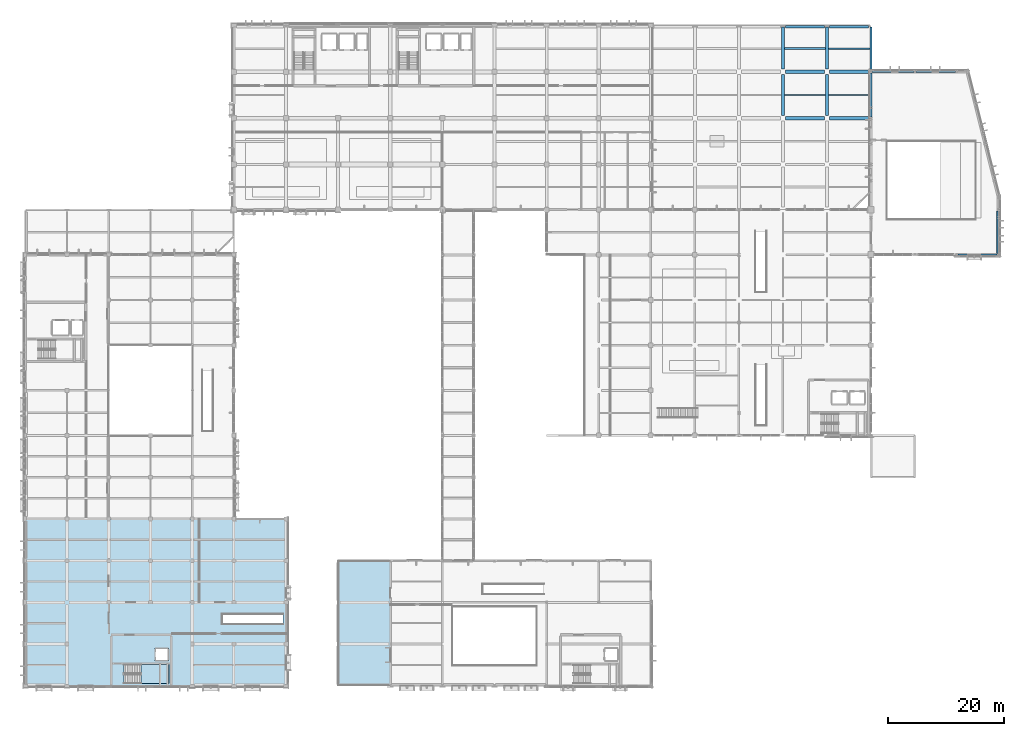
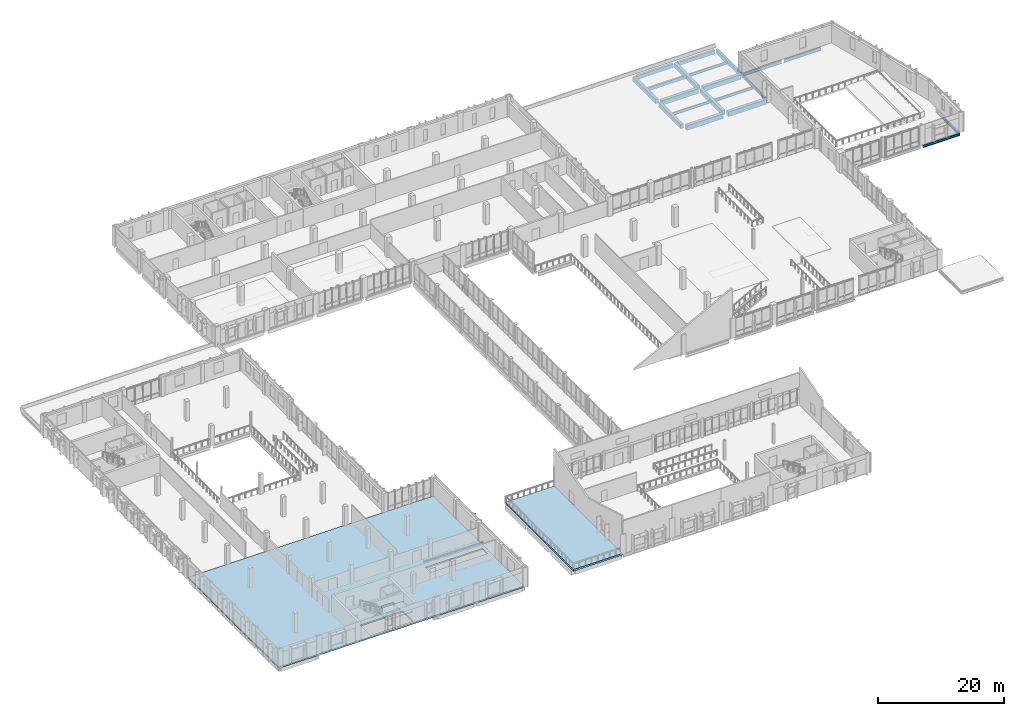
# One storey, part 42 of 85: 20 beams, 3 slabs, 1 element without a shape of its own.
"""IFC4 building model written with IfcOpenShell, lengths in metres."""

import ifcopenshell
import ifcopenshell.guid

model = None  # the IFC model being written
_history = None  # IfcOwnerHistory: only IFC2X3 demands one
_inside = {}  # id of a spatial element -> (the spatial element, [elements in it])
_under = {}  # id of a project, library or spatial element -> (it, [spatial elements below it])
_declared = {}  # id of a project -> (the project, [libraries it declares])
_typed = {}  # id of a type object -> (the type object, [elements of that type])
_made_of = {}  # id of a material, layer set ... -> (it, [elements and type objects made of it])


def new_model(schema):
    """Start an empty IFC model of exactly this schema.

    Asked for "IFC4X3", IfcOpenShell would pick the latest addendum, in which some entities
    have other attributes; the version numbers below select the first issue.
    IFC2X3 requires an IfcOwnerHistory on every rooted entity: one is made here for all.
    """
    global model, _history
    if schema == "IFC4X3":
        model = ifcopenshell.file(schema_version=(4, 3, 0, 0))
    else:
        model = ifcopenshell.file(schema=schema)
    _inside.clear()
    _under.clear()
    _declared.clear()
    _typed.clear()
    _made_of.clear()
    _history = None
    if model.schema == "IFC2X3":
        org = make("IfcOrganization", Name="unknown")
        user = make(
            "IfcPersonAndOrganization",
            ThePerson=make("IfcPerson", FamilyName="unknown"),
            TheOrganization=org,
        )
        app = make(
            "IfcApplication",
            ApplicationDeveloper=org,
            Version="unknown",
            ApplicationFullName="unknown",
            ApplicationIdentifier="unknown",
        )
        _history = make(
            "IfcOwnerHistory",
            OwningUser=user,
            OwningApplication=app,
            ChangeAction="ADDED",
            CreationDate=0,
        )
    return model


def make(cls, **values):
    """One entity of the class cls with the attributes given. An attribute that is None is left unset."""
    return model.create_entity(
        cls, **{name: value for name, value in values.items() if value is not None}
    )


def rooted(cls, **values):
    """An entity with a GlobalId (a new one), such as an element, a storey or a relation."""
    return make(cls, GlobalId=ifcopenshell.guid.new(), OwnerHistory=_history, **values)


def si_unit(unit_type, name, prefix=None):
    """IfcSIUnit, for example si_unit("LENGTHUNIT", "METRE", prefix="MILLI")."""
    return make("IfcSIUnit", UnitType=unit_type, Prefix=prefix, Name=name)


def assignment(units):
    """IfcUnitAssignment: the units of a project."""
    return None if units is None else make("IfcUnitAssignment", Units=units)


def point(xyz):
    """IfcCartesianPoint."""
    return None if xyz is None else make("IfcCartesianPoint", Coordinates=xyz)


def direction(xyz):
    """IfcDirection."""
    return None if xyz is None else make("IfcDirection", DirectionRatios=xyz)


def frame(location, z_axis=None, x_axis=None):
    """IfcAxis2Placement3D, a coordinate frame: its origin and axes. An axis left out is left unset."""
    return make(
        "IfcAxis2Placement3D",
        Location=point(location),
        Axis=direction(z_axis),
        RefDirection=direction(x_axis),
    )


def frame_2d(location, x_axis=None):
    """IfcAxis2Placement2D, a coordinate frame in the plane: its origin and x axis."""
    return make(
        "IfcAxis2Placement2D", Location=point(location), RefDirection=direction(x_axis)
    )


def origin():
    """The frame at (0, 0, 0) with its axes left unset."""
    return frame((0.0, 0.0, 0.0))


def origin_2d():
    """The frame at (0, 0) in the plane with its x axis left unset."""
    return frame_2d((0.0, 0.0))


def place(relative_to, where):
    """IfcLocalPlacement: puts the frame where relative to a parent placement (None: the world)."""
    return make(
        "IfcLocalPlacement", PlacementRelTo=relative_to, RelativePlacement=where
    )


def context(
    kind, dimensions, precision=None, world=None, true_north=None, identifier=None
):
    """IfcGeometricRepresentationContext, for example the 3D "Model" context."""
    return make(
        "IfcGeometricRepresentationContext",
        ContextIdentifier=identifier,
        ContextType=kind,
        CoordinateSpaceDimension=dimensions,
        Precision=precision,
        WorldCoordinateSystem=world,
        TrueNorth=true_north,
    )


def subcontext(parent, identifier, kind, view, scale=None):
    """IfcGeometricRepresentationSubContext, for example "Body" below "Model"."""
    return make(
        "IfcGeometricRepresentationSubContext",
        ContextIdentifier=identifier,
        ContextType=kind,
        ParentContext=parent,
        TargetScale=scale,
        TargetView=view,
    )


def project(units=None, contexts=None):
    """IfcProject with its units and contexts."""
    return rooted(
        "IfcProject",
        Name="project",
        RepresentationContexts=contexts,
        UnitsInContext=assignment(units),
    )


def spatial(cls, under=None, at=None, **own):
    """A site, building, storey or space (cls), placed at a placement, below another one or the project."""
    s = rooted(cls, ObjectPlacement=at, **own)
    if under is not None:
        _under.setdefault(under.id(), (under, []))[1].append(s)
    return s


def polyline(points):
    """IfcPolyline through the points."""
    return make("IfcPolyline", Points=[point(p) for p in points])


def profile(cls, at=None, kind="AREA", **sizes):
    """A parametric profile (cls). Its sizes go by their IFC names, for example OverallWidth=200.0."""
    return make(cls, ProfileType=kind, Position=at, **sizes)


def rectangle(**sizes):
    """IfcRectangleProfileDef."""
    return profile("IfcRectangleProfileDef", **sizes)


def i_section(**sizes):
    """IfcIShapeProfileDef."""
    return profile("IfcIShapeProfileDef", **sizes)


def outline(outer, holes=None, kind="AREA"):
    """IfcArbitraryClosedProfileDef: a profile drawn as a closed curve; with holes, ...WithVoids."""
    if holes is None:
        return make("IfcArbitraryClosedProfileDef", ProfileType=kind, OuterCurve=outer)
    return make(
        "IfcArbitraryProfileDefWithVoids",
        ProfileType=kind,
        OuterCurve=outer,
        InnerCurves=holes,
    )


def extrude(swept, where, along, depth):
    """IfcExtrudedAreaSolid: the profile swept, set in the frame where, extruded along a direction by depth."""
    return make(
        "IfcExtrudedAreaSolid",
        SweptArea=swept,
        Position=where,
        ExtrudedDirection=direction(along),
        Depth=depth,
    )


def shape(context_of_items, identifier, shape_type, items):
    """IfcShapeRepresentation: the items that make up one representation, for example the "Body"."""
    return make(
        "IfcShapeRepresentation",
        ContextOfItems=context_of_items,
        RepresentationIdentifier=identifier,
        RepresentationType=shape_type,
        Items=items,
    )


def material(Name=None, Category=None):
    """IfcMaterial."""
    return make("IfcMaterial", Name=Name, Category=Category)


def layer(
    of_material, thickness, ventilated=None, Name=None, Category=None, Priority=None
):
    """IfcMaterialLayer: one layer of a wall or slab, of a material (None: an air gap)."""
    return make(
        "IfcMaterialLayer",
        Material=of_material,
        LayerThickness=thickness,
        IsVentilated=ventilated,
        Name=Name,
        Category=Category,
        Priority=Priority,
    )


def layer_set(layers, Name=None):
    """IfcMaterialLayerSet."""
    return make("IfcMaterialLayerSet", MaterialLayers=layers, LayerSetName=Name)


def material_profile(
    of_material, cross_section, Name=None, Category=None, Priority=None
):
    """IfcMaterialProfile: a cross section and its material."""
    return make(
        "IfcMaterialProfile",
        Name=Name,
        Material=of_material,
        Profile=cross_section,
        Priority=Priority,
        Category=Category,
    )


def profile_set(profiles, Name=None, composite=None):
    """IfcMaterialProfileSet."""
    return make(
        "IfcMaterialProfileSet",
        Name=Name,
        MaterialProfiles=profiles,
        CompositeProfile=composite,
    )


def made_of(thing, what):
    """Note that an element or type object is made of a material, layer set ...; save() writes the relation."""
    if what is not None:
        _made_of.setdefault(what.id(), (what, []))[1].append(thing)
    return thing


def type_object(cls, material=None, **own):
    """A type object (cls), such as IfcWallType, which elements share."""
    return made_of(rooted(cls, **own), material)


def element(
    cls,
    number,
    at=None,
    inside=None,
    cuts=None,
    type_object=None,
    material=None,
    context=None,
    identifier="Body",
    shape_type=None,
    held_by="IfcProductDefinitionShape",
    body=None,
    shapes=None,
    **own,
):
    """One element of the class cls, such as IfcWall. Its Tag is "e" and its number.

    at: its placement. inside: the storey or other place that contains it. cuts: it is an
    opening in that element (IfcRelVoidsElement). A single representation is given by context,
    identifier, shape_type and body (its items); several are given by shapes. held_by: the class
    of the entity that holds the representations. save() writes the other relations.
    """
    e = rooted(cls, Tag="e%d" % number, ObjectPlacement=at, **own)
    if body is not None:
        shapes = [shape(context, identifier, shape_type, body)]
    if shapes is not None:
        e.Representation = make(held_by, Representations=shapes)
    if inside is not None:
        _inside.setdefault(inside.id(), (inside, []))[1].append(e)
    if cuts is not None:
        rooted(
            "IfcRelVoidsElement", RelatingBuildingElement=cuts, RelatedOpeningElement=e
        )
    if type_object is not None:
        _typed.setdefault(type_object.id(), (type_object, []))[1].append(e)
    return made_of(e, material)


def aggregate(whole, parts):
    """IfcRelAggregates: a whole, such as a stair, and the parts it consists of."""
    return rooted("IfcRelAggregates", RelatingObject=whole, RelatedObjects=parts)


def save(model, path):
    """Write the relations noted so far, then the file.

    IfcRelAggregates (storeys below a building ...), IfcRelContainedInSpatialStructure (elements
    in a storey), IfcRelDefinesByType, IfcRelAssociatesMaterial and IfcRelDeclares: one each for
    every whole, place, type object, material and project.
    """
    for whole, parts in _under.values():
        aggregate(whole, parts)
    for where, things in _inside.values():
        rooted(
            "IfcRelContainedInSpatialStructure",
            RelatedElements=things,
            RelatingStructure=where,
        )
    for kind, things in _typed.values():
        rooted("IfcRelDefinesByType", RelatedObjects=things, RelatingType=kind)
    for what, things in _made_of.values():
        rooted("IfcRelAssociatesMaterial", RelatedObjects=things, RelatingMaterial=what)
    for by, libraries in _declared.values():
        rooted("IfcRelDeclares", RelatingContext=by, RelatedDefinitions=libraries)
    model.write(path)


model = new_model("IFC4")

# Units and contexts
model_context = context("Model", 3, precision=1e-05, world=origin(), true_north=direction((0.0, 1.0)))
body_context = subcontext(model_context, "Body", "Model", "MODEL_VIEW")
ifc_project = project(units=[si_unit("LENGTHUNIT", "METRE"), si_unit("AREAUNIT", "SQUARE_METRE"), si_unit("VOLUMEUNIT", "CUBIC_METRE"), si_unit("PLANEANGLEUNIT", "RADIAN"), si_unit("MASSUNIT", "GRAM", prefix="KILO")], contexts=[model_context])

# Site, building, storey
site_placement = place(None, origin())
site = spatial("IfcSite", under=ifc_project, at=site_placement, CompositionType="ELEMENT")
building_placement = place(site_placement, origin())
building = spatial("IfcBuilding", under=site, at=building_placement, Name="Vervanel Yard Central Library", CompositionType="ELEMENT")
storey_placement = place(building_placement, frame((0.0, 0.0, 5.10009765625)))
storey = spatial("IfcBuildingStorey", under=building, at=storey_placement, Name="L01", CompositionType="ELEMENT", Elevation=5.10009765625)

# Beams
ifc_material_1 = material(Name="Concrete C40/50", Category="concrete")
ifc_material_profile_1 = material_profile(ifc_material_1, rectangle(XDim=0.39990234375, YDim=0.699951171875, at=origin_2d()), Name="RC 400x700", Category="concrete")
ifc_profile_set_1 = profile_set([ifc_material_profile_1], Name="Concrete C40/50")
beam_type_1 = type_object("IfcBeamType", Name="Concrete Perimeter Spandrel 400x700", PredefinedType="SPANDREL", material=ifc_profile_set_1)
for number, where, z_axis, x_axis, name in (
    (1, (131.22509765625, 113.800048828125, -0.60498046875), (1.0, 0.0, 0.0), (0.0, 1.0, 0.0), "L01 Girder SP-01 Y=114.0 X=130.8-138.4"),
    (2, (138.824951171875, 113.800048828125, -0.60498046875), (1.0, 0.0, 0.0), (0.0, 1.0, 0.0), "L01 Girder SP-01 Y=114.0 X=138.4-146.0"),
):
    element("IfcBeam", number, at=place(storey_placement, frame(where, z_axis=z_axis, x_axis=x_axis)), inside=storey, type_object=beam_type_1, Name=name, PredefinedType="SPANDREL", context=body_context, shape_type="SweptSolid", body=[
        extrude(rectangle(XDim=0.39990234375, YDim=0.699951171875, at=origin_2d()), origin(), (0.0, 0.0, 1.0), 6.75),
    ])
beam_1_placement = place(storey_placement, frame((146.0, 106.1904296875, -0.60498046875), z_axis=(0.0, 1.0, 0.0), x_axis=(-1.0, 0.0, 0.0)))
element("IfcBeam", 3, at=beam_1_placement, inside=storey, type_object=beam_type_1, Name="L01 Girder SP-01 X=146.0 Y=106.0-114.0", PredefinedType="SPANDREL", context=body_context, shape_type="SweptSolid", body=[
    extrude(rectangle(XDim=0.39990234375, YDim=0.699951171875, at=origin_2d()), origin(), (0.0, 0.0, 1.0), 7.58447265625),
])
ifc_material_profile_2 = material_profile(ifc_material_1, rectangle(XDim=0.550048828125, YDim=0.800048828125, at=origin_2d()), Name="RC 550x800", Category="concrete")
ifc_profile_set_2 = profile_set([ifc_material_profile_2], Name="Concrete C40/50")
beam_type_2 = type_object("IfcBeamType", Name="Concrete Primary Girder 550x800", PredefinedType="BEAM", material=ifc_profile_set_2)
beam_2_placement = place(storey_placement, frame((130.800048828125, 98.449951171875, -0.655029296875), z_axis=(0.0, 1.0, 0.0), x_axis=(-1.0, 0.0, 0.0)))
element("IfcBeam", 4, at=beam_2_placement, inside=storey, type_object=beam_type_2, Name="L01 Girder CB-02 X=130.8 Y=98.0-106.0", PredefinedType="BEAM", context=body_context, shape_type="SweptSolid", body=[
    extrude(rectangle(XDim=0.550048828125, YDim=0.800048828125, at=origin_2d()), origin(), (0.0, 0.0, 1.0), 7.10009765625),
])
beam_3_placement = place(storey_placement, frame((130.800048828125, 106.449951171875, -0.655029296875), z_axis=(0.0, 1.0, 0.0), x_axis=(-1.0, 0.0, 0.0)))
element("IfcBeam", 5, at=beam_3_placement, inside=storey, type_object=beam_type_2, Name="L01 Girder CB-02 X=130.8 Y=106.0-114.0", PredefinedType="BEAM", context=body_context, shape_type="SweptSolid", body=[
    extrude(rectangle(XDim=0.550048828125, YDim=0.800048828125, at=origin_2d()), origin(), (0.0, 0.0, 1.0), 7.324951171875),
])
beam_4_placement = place(storey_placement, frame((138.39990234375, 98.449951171875, -0.655029296875), z_axis=(0.0, 1.0, 0.0), x_axis=(-1.0, 0.0, 0.0)))
element("IfcBeam", 6, at=beam_4_placement, inside=storey, type_object=beam_type_2, Name="L01 Girder CB-02 X=138.4 Y=98.0-106.0", PredefinedType="BEAM", context=body_context, shape_type="SweptSolid", body=[
    extrude(rectangle(XDim=0.550048828125, YDim=0.800048828125, at=origin_2d()), origin(), (0.0, 0.0, 1.0), 7.10009765625),
])
beam_5_placement = place(storey_placement, frame((138.39990234375, 106.449951171875, -0.655029296875), z_axis=(0.0, 1.0, 0.0), x_axis=(-1.0, 0.0, 0.0)))
element("IfcBeam", 7, at=beam_5_placement, inside=storey, type_object=beam_type_2, Name="L01 Girder CB-02 X=138.4 Y=106.0-114.0", PredefinedType="BEAM", context=body_context, shape_type="SweptSolid", body=[
    extrude(rectangle(XDim=0.550048828125, YDim=0.800048828125, at=origin_2d()), origin(), (0.0, 0.0, 1.0), 7.324951171875),
])
ifc_material_profile_3 = material_profile(ifc_material_1, rectangle(XDim=0.35009765625, YDim=0.60009765625, at=origin_2d()), Name="RC 350x600", Category="concrete")
ifc_profile_set_3 = profile_set([ifc_material_profile_3], Name="Concrete C40/50")
beam_type_3 = type_object("IfcBeamType", Name="Concrete Secondary Joist 350x600", PredefinedType="JOIST", material=ifc_profile_set_3)
beam_6_placement = place(storey_placement, frame((131.074951171875, 110.0, -0.55517578125), z_axis=(1.0, 0.0, 0.0), x_axis=(0.0, 1.0, 0.0)))
element("IfcBeam", 8, at=beam_6_placement, inside=storey, type_object=beam_type_3, Name="L01 Floor Joist CJ-01 Y=110.00 X=130.8-138.4", PredefinedType="JOIST", context=body_context, shape_type="SweptSolid", body=[
    extrude(rectangle(XDim=0.35009765625, YDim=0.60009765625, at=origin_2d()), origin(), (0.0, 0.0, 1.0), 7.050048828125),
])
ifc_material_2 = material(Name="Concrete C45/55", Category="concrete")
ifc_material_profile_4 = material_profile(ifc_material_2, rectangle(XDim=0.60009765625, YDim=0.919921875, at=origin_2d()), Name="RC 600x920", Category="concrete")
ifc_profile_set_4 = profile_set([ifc_material_profile_4], Name="Concrete C45/55")
beam_type_4 = type_object("IfcBeamType", Name="Concrete Stack Girder 600x920", PredefinedType="BEAM", material=ifc_profile_set_4)
beam_7_placement = place(storey_placement, frame((131.25, 98.0, -0.715087890625), z_axis=(1.0, 0.0, 0.0), x_axis=(0.0, 1.0, 0.0)))
element("IfcBeam", 9, at=beam_7_placement, inside=storey, type_object=beam_type_4, Name="L01 Girder CB-07 Y=98.0 X=130.8-138.4", PredefinedType="BEAM", context=body_context, shape_type="SweptSolid", body=[
    extrude(rectangle(XDim=0.60009765625, YDim=0.919921875, at=origin_2d()), origin(), (0.0, 0.0, 1.0), 6.699951171875),
])
beam_8_placement = place(storey_placement, frame((138.85009765625, 98.0, -0.715087890625), z_axis=(1.0, 0.0, 0.0), x_axis=(0.0, 1.0, 0.0)))
element("IfcBeam", 10, at=beam_8_placement, inside=storey, type_object=beam_type_4, Name="L01 Girder CB-07 Y=98.0 X=138.4-146.0", PredefinedType="BEAM", context=body_context, shape_type="SweptSolid", body=[
    extrude(rectangle(XDim=0.60009765625, YDim=0.919921875, at=origin_2d()), origin(), (0.0, 0.0, 1.0), 6.951904296875),
])
beam_9_placement = place(storey_placement, frame((131.25, 106.0, -0.715087890625), z_axis=(1.0, 0.0, 0.0), x_axis=(0.0, 1.0, 0.0)))
element("IfcBeam", 11, at=beam_9_placement, inside=storey, type_object=beam_type_4, Name="L01 Girder CB-07 Y=106.0 X=130.8-138.4", PredefinedType="BEAM", context=body_context, shape_type="SweptSolid", body=[
    extrude(rectangle(XDim=0.60009765625, YDim=0.919921875, at=origin_2d()), origin(), (0.0, 0.0, 1.0), 6.699951171875),
])
beam_10_placement = place(storey_placement, frame((138.85009765625, 106.0, -0.715087890625), z_axis=(1.0, 0.0, 0.0), x_axis=(0.0, 1.0, 0.0)))
element("IfcBeam", 12, at=beam_10_placement, inside=storey, type_object=beam_type_4, Name="L01 Girder CB-07 Y=106.0 X=138.4-146.0", PredefinedType="BEAM", context=body_context, shape_type="SweptSolid", body=[
    extrude(rectangle(XDim=0.60009765625, YDim=0.919921875, at=origin_2d()), origin(), (0.0, 0.0, 1.0), 6.951904296875),
])
ifc_material_3 = material(Name="Steel ASTM A992 Grade 50", Category="steel")
ifc_material_profile_5 = material_profile(ifc_material_3, i_section(OverallWidth=0.22900390625, OverallDepth=0.612060546875, WebThickness=0.011962890625, FlangeThickness=0.01953125, at=origin_2d()), Name="W24X84", Category="steel")
ifc_profile_set_5 = profile_set([ifc_material_profile_5], Name="Steel ASTM A992 Grade 50")
beam_type_5 = type_object("IfcBeamType", Name="Steel Primary Girder W24X84", PredefinedType="BEAM", material=ifc_profile_set_5)
beam_11_placement = place(storey_placement, frame((146.197998046875, 106.0, -0.60107421875), z_axis=(1.0, 0.0, 0.0), x_axis=(0.0, 1.0, 0.0)))
element("IfcBeam", 13, at=beam_11_placement, inside=storey, type_object=beam_type_5, Name="L01 Girder SB-01 Y=106.0 X=146.0-153.6", PredefinedType="BEAM", context=body_context, shape_type="SweptSolid", body=[
    extrude(i_section(OverallWidth=0.22900390625, OverallDepth=0.612060546875, WebThickness=0.011962890625, FlangeThickness=0.01953125, at=origin_2d()), origin(), (0.0, 0.0, 1.0), 7.203857421875),
])
beam_12_placement = place(storey_placement, frame((153.798095703125, 106.0, -0.60107421875), z_axis=(1.0, 0.0, 0.0), x_axis=(0.0, 1.0, 0.0)))
element("IfcBeam", 14, at=beam_12_placement, inside=storey, type_object=beam_type_5, Name="L01 Girder SB-01 Y=106.0 X=153.6-160.8", PredefinedType="BEAM", context=body_context, shape_type="SweptSolid", body=[
    extrude(i_section(OverallWidth=0.22900390625, OverallDepth=0.612060546875, WebThickness=0.011962890625, FlangeThickness=0.01953125, at=origin_2d()), origin(), (0.0, 0.0, 1.0), 6.8037109375),
])
ifc_material_profile_6 = material_profile(ifc_material_3, i_section(OverallWidth=0.281982421875, OverallDepth=0.46728515625, WebThickness=0.01220703125, FlangeThickness=0.01953125, at=origin_2d()), Name="W18X86", Category="steel")
ifc_profile_set_6 = profile_set([ifc_material_profile_6], Name="Steel ASTM A992 Grade 50")
beam_type_6 = type_object("IfcBeamType", Name="Steel Spandrel Beam W18X86", PredefinedType="SPANDREL", material=ifc_profile_set_6)
beam_13_placement = place(storey_placement, frame((160.998046875, 74.39990234375, -0.52880859375), z_axis=(1.0, 0.0, 0.0), x_axis=(0.0, 1.0, 0.0)))
element("IfcBeam", 15, at=beam_13_placement, inside=storey, type_object=beam_type_6, Name="L01 Girder SP-02 Y=74.4 X=160.8-168.0", PredefinedType="SPANDREL", context=body_context, shape_type="SweptSolid", body=[
    extrude(i_section(OverallWidth=0.281982421875, OverallDepth=0.46728515625, WebThickness=0.01220703125, FlangeThickness=0.01953125, at=origin_2d()), origin(), (0.0, 0.0, 1.0), 6.803955078125),
])
beam_14_placement = place(storey_placement, frame((146.0, 98.1904296875, -0.52880859375), z_axis=(0.0, 1.0, 0.0), x_axis=(-1.0, 0.0, 0.0)))
element("IfcBeam", 16, at=beam_14_placement, inside=storey, type_object=beam_type_6, Name="L01 Girder SP-02 X=146.0 Y=98.0-106.0", PredefinedType="SPANDREL", context=body_context, shape_type="SweptSolid", body=[
    extrude(i_section(OverallWidth=0.281982421875, OverallDepth=0.46728515625, WebThickness=0.01220703125, FlangeThickness=0.01953125, at=origin_2d()), origin(), (0.0, 0.0, 1.0), 7.619140625),
])
beam_15_placement = place(storey_placement, frame((167.800048828125, 74.590576171875, -0.52880859375), z_axis=(0.0, 1.0, 0.0), x_axis=(-1.0, 0.0, 0.0)))
element("IfcBeam", 17, at=beam_15_placement, inside=storey, type_object=beam_type_6, Name="L01 Girder SP-02 X=168.0 Y=74.4-82.2", PredefinedType="SPANDREL", context=body_context, shape_type="SweptSolid", body=[
    extrude(i_section(OverallWidth=0.281982421875, OverallDepth=0.46728515625, WebThickness=0.01220703125, FlangeThickness=0.01953125, at=origin_2d()), origin(), (0.0, 0.0, 1.0), 7.4189453125),
])
ifc_material_profile_7 = material_profile(ifc_material_3, i_section(OverallWidth=0.2099609375, OverallDepth=0.535888671875, WebThickness=0.010986328125, FlangeThickness=0.017333984375, at=origin_2d()), Name="W21X68", Category="steel")
ifc_profile_set_7 = profile_set([ifc_material_profile_7], Name="Steel ASTM A992 Grade 50")
beam_type_7 = type_object("IfcBeamType", Name="Steel Stack Floor Joist W21X68", PredefinedType="JOIST", material=ifc_profile_set_7)
beam_16_placement = place(storey_placement, frame((131.074951171875, 102.0, -0.52294921875), z_axis=(1.0, 0.0, 0.0), x_axis=(0.0, 1.0, 0.0)))
element("IfcBeam", 18, at=beam_16_placement, inside=storey, type_object=beam_type_7, Name="L01 Floor Joist SJ-04 Y=102.00 X=130.8-138.4", PredefinedType="JOIST", context=body_context, shape_type="SweptSolid", body=[
    extrude(i_section(OverallWidth=0.2099609375, OverallDepth=0.535888671875, WebThickness=0.010986328125, FlangeThickness=0.017333984375, at=origin_2d()), origin(), (0.0, 0.0, 1.0), 7.050048828125),
])
beam_17_placement = place(storey_placement, frame((138.675048828125, 102.0, -0.56298828125), z_axis=(1.0, 0.0, 0.0), x_axis=(0.0, 1.0, 0.0)))
element("IfcBeam", 19, at=beam_17_placement, inside=storey, type_object=beam_type_7, Name="L01 Floor Joist SJ-04 Y=102.00 X=138.4-146.0", PredefinedType="JOIST", context=body_context, shape_type="SweptSolid", body=[
    extrude(i_section(OverallWidth=0.2099609375, OverallDepth=0.535888671875, WebThickness=0.010986328125, FlangeThickness=0.017333984375, at=origin_2d()), origin(), (0.0, 0.0, 1.0), 7.183837890625),
])
beam_18_placement = place(storey_placement, frame((138.675048828125, 110.0, -0.52294921875), z_axis=(1.0, 0.0, 0.0), x_axis=(0.0, 1.0, 0.0)))
element("IfcBeam", 20, at=beam_18_placement, inside=storey, type_object=beam_type_7, Name="L01 Floor Joist SJ-04 Y=110.00 X=138.4-146.0", PredefinedType="JOIST", context=body_context, shape_type="SweptSolid", body=[
    extrude(i_section(OverallWidth=0.2099609375, OverallDepth=0.535888671875, WebThickness=0.010986328125, FlangeThickness=0.017333984375, at=origin_2d()), origin(), (0.0, 0.0, 1.0), 7.125),
])

# Stair, slab
stair_type = type_object("IfcStairType", Name="Protected Core Dog-Leg Stair ST-04", PredefinedType="HALF_TURN_STAIR", material=ifc_material_1)
stair_placement = place(storey_placement, origin())
stair = element("IfcStair", 21, at=stair_placement, inside=storey, type_object=stair_type, Name="L01 CORE-D Protected Exit Stair", PredefinedType="HALF_TURN_STAIR")
ifc_layer_1 = layer(ifc_material_1, 0.199951171875, Category="concrete")
ifc_layer_set_1 = layer_set([ifc_layer_1], Name="Concrete C40/50")
slab_type_1 = type_object("IfcSlabType", Name="Core Stair Concrete Landing Slab 200", PredefinedType="LANDING", material=ifc_layer_set_1)
slab_1_placement = place(storey_placement, frame((0.0, 0.0, 1.719970703125)))
slab_1 = element("IfcSlab", 22, at=slab_1_placement, type_object=slab_type_1, Name="ST-04 landing 1", PredefinedType="LANDING", context=body_context, shape_type="SweptSolid", body=[
    extrude(outline(polyline([(20.0, 0.39990234375), (24.800048828125, 0.39990234375), (24.800048828125, 3.659912109375), (20.0, 3.659912109375), (20.0, 0.39990234375)])), origin(), (0.0, 0.0, 1.0), 0.199951171875),
])
aggregate(stair, [slab_1])

# Slabs
ifc_layer_2 = layer(ifc_material_1, 0.340087890625, Category="concrete")
ifc_layer_set_2 = layer_set([ifc_layer_2], Name="Concrete C40/50")
slab_type_2 = type_object("IfcSlabType", Name="Planted Roof Garden Terrace Slab 340", PredefinedType="FLOOR", material=ifc_layer_set_2)
slab_2_placement = place(storey_placement, frame((0.0, 0.0, -0.340087890625)))
element("IfcSlab", 23, at=slab_2_placement, inside=storey, type_object=slab_type_2, Name="L01 Children's Planted Roof Garden Terrace", PredefinedType="FLOOR", context=body_context, shape_type="SweptSolid", body=[
    extrude(outline(polyline([(54.0, 0.0), (63.0, 0.0), (63.0, 21.60009765625), (54.0, 21.60009765625), (54.0, 0.0)])), origin(), (0.0, 0.0, 1.0), 0.340087890625),
])
ifc_layer_3 = layer(ifc_material_1, 0.280029296875, Category="concrete")
ifc_layer_set_3 = layer_set([ifc_layer_3], Name="Concrete C40/50")
slab_type_3 = type_object("IfcSlabType", Name="Reading Wing Floor Slab 280", PredefinedType="FLOOR", material=ifc_layer_set_3)
slab_3_placement = place(storey_placement, frame((0.0, 0.0, -0.280029296875)))
element("IfcSlab", 24, at=slab_3_placement, inside=storey, type_object=slab_type_3, Name="L01 V6 Reading Wing Floor Slab 280", PredefinedType="FLOOR", context=body_context, shape_type="SweptSolid", body=[
    extrude(outline(polyline([(0.0, 0.0), (45.0, 0.0), (45.0, 28.800048828125), (0.0, 28.800048828125), (0.0, 0.0)]), holes=[polyline([(17.034912109375, 0.39990234375), (24.800048828125, 0.39990234375), (24.800048828125, 3.659912109375), (17.034912109375, 3.659912109375), (17.034912109375, 0.39990234375)]), polyline([(22.39990234375, 4.300048828125), (24.699951171875, 4.300048828125), (24.699951171875, 6.5), (22.39990234375, 6.5), (22.39990234375, 4.300048828125)]), polyline([(34.0, 10.68505859375), (44.465087890625, 10.68505859375), (44.465087890625, 12.31494140625), (34.0, 12.31494140625), (34.0, 10.68505859375)])]), origin(), (0.0, 0.0, 1.0), 0.280029296875),
])

save(model, "model.ifc")
